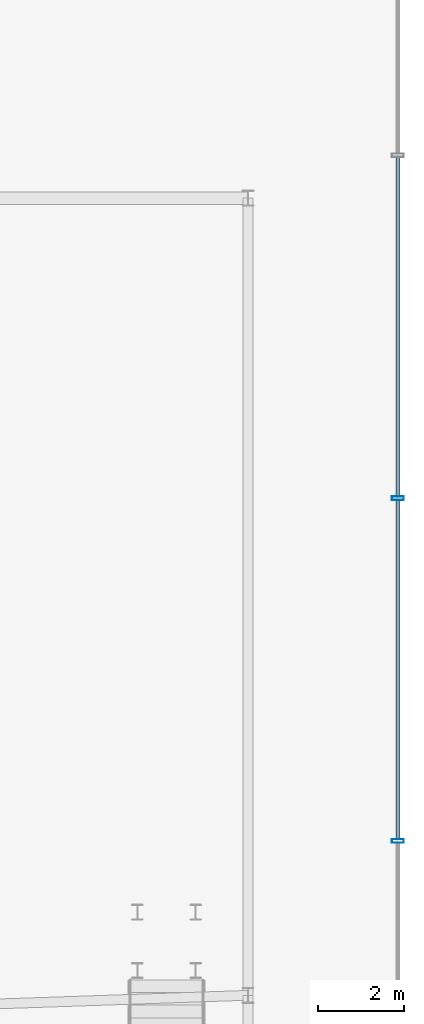
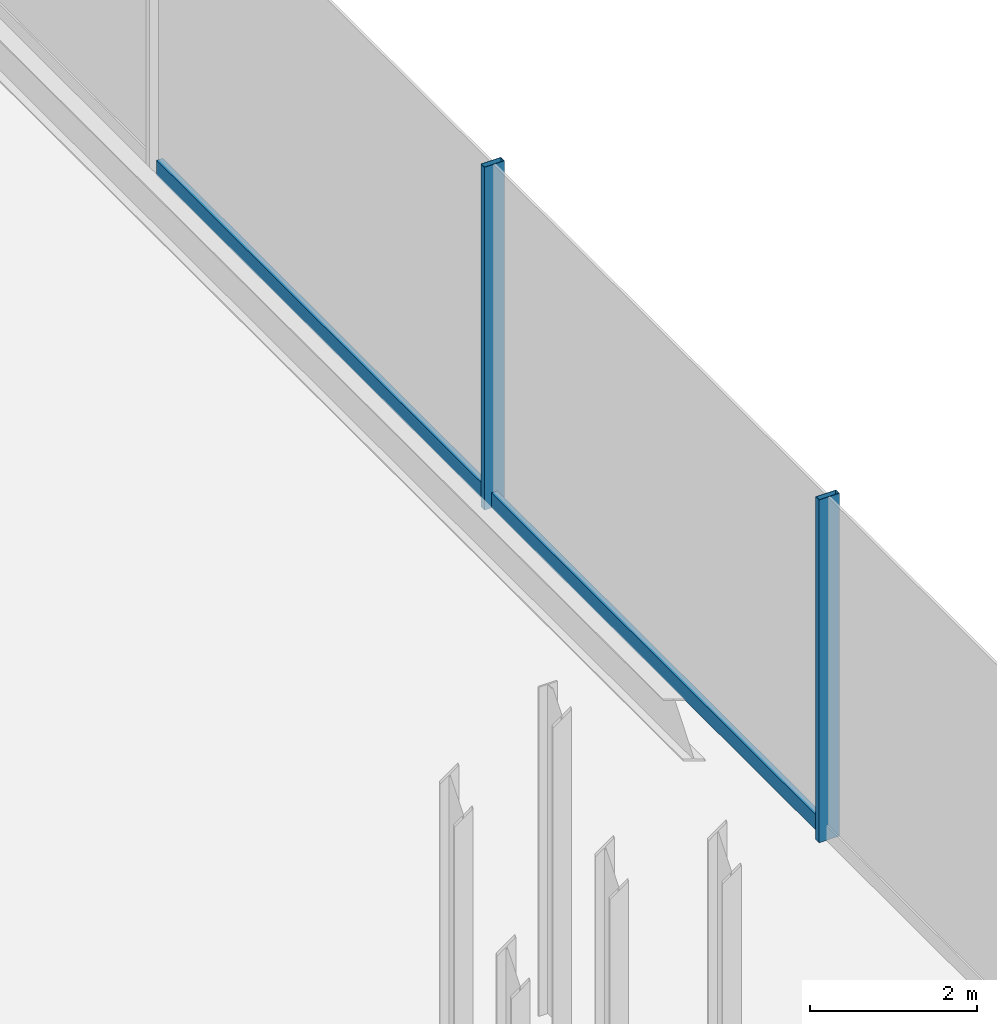
# One storey, part 25 of 40: 4 members, 1 element without a shape of its own.
"""IFC4 building model written with IfcOpenShell, lengths in metres."""

from ifc_helpers import new_model, si_unit, derived_unit, direction, frame, origin, origin_2d, place, context, subcontext, project, spatial, hollow_rectangle, extrude, source, transform, mapped, material, material_profile, profile_set, type_object, element, aggregate, save


model = new_model("IFC4")

# Units and contexts
model_context = context("Model", 3, precision=1e-05, world=origin(), true_north=direction((0.0, 1.0)))
body_context = subcontext(model_context, "Body", "Model", "MODEL_VIEW")
ifc_project = project(units=[si_unit("LENGTHUNIT", "METRE"), si_unit("AREAUNIT", "SQUARE_METRE"), si_unit("VOLUMEUNIT", "CUBIC_METRE"), si_unit("PLANEANGLEUNIT", "RADIAN"), si_unit("MASSUNIT", "GRAM", prefix="KILO"), derived_unit("THERMALTRANSMITTANCEUNIT", [(si_unit("POWERUNIT", "WATT"), 1), (si_unit("LENGTHUNIT", "METRE"), -2), (si_unit("THERMODYNAMICTEMPERATUREUNIT", "KELVIN"), -1)])], contexts=[model_context])

# Site, building, storey
site_placement = place(None, origin())
site = spatial("IfcSite", under=ifc_project, at=site_placement, CompositionType="ELEMENT")
building_placement = place(site_placement, origin())
building = spatial("IfcBuilding", under=site, at=building_placement, Name="Skarnbrae Concourse Arena and Tower", CompositionType="ELEMENT")
storey_placement = place(building_placement, frame((0.0, 0.0, 6.0)))
storey = spatial("IfcBuildingStorey", under=building, at=storey_placement, Name="L01", CompositionType="ELEMENT", Elevation=6.0)

# Curtain wall, members
ifc_material = material(Name="Bronze anodised aluminium 6063-T6", Category="aluminium")
curtain_wall_type = type_object("IfcCurtainWallType", Name="CW-SYS-01-PODIUM", PredefinedType="USERDEFINED", material=ifc_material)
curtain_wall_placement = place(storey_placement, origin())
curtain_wall = element("IfcCurtainWall", 1, at=curtain_wall_placement, inside=storey, type_object=curtain_wall_type, Name="L01 Unitised curtain wall CW-L01-E", ObjectType="UNITISED CURTAIN WALL", PredefinedType="USERDEFINED")
ifc_material_profile_1 = material_profile(ifc_material, hollow_rectangle(XDim=0.0849609375, YDim=0.280029296875, WallThickness=0.006103515625, at=origin_2d()), Name="ALU-MULL-85X280")
ifc_profile_set_1 = profile_set([ifc_material_profile_1], Name="Bronze anodised aluminium 6063-T6")
member_type_1 = type_object("IfcMemberType", Name="CWM-CW-01", PredefinedType="MULLION", material=ifc_profile_set_1)
shared_shape_1 = source(origin(), body_context, "Body", "SweptSolid", [
    extrude(hollow_rectangle(XDim=0.0849609375, YDim=0.280029296875, WallThickness=0.006103515625, at=origin_2d()), origin(), (0.0, 0.0, 1.0), 5.0),
])
member_1_placement = place(storey_placement, frame((82.0, 32.0, 0.0), z_axis=(0.0, 0.0, 1.0), x_axis=(0.0, 1.0, 0.0)))
member_1 = element("IfcMember", 2, at=member_1_placement, type_object=member_type_1, Name="CW-L01-E Mullion 5", PredefinedType="MULLION", context=body_context, shape_type="MappedRepresentation", body=[
    mapped(shared_shape_1, transform((0.0, 0.0, 0.0))),
])
member_2_placement = place(storey_placement, frame((82.0, 40.0, 0.0), z_axis=(0.0, 0.0, 1.0), x_axis=(0.0, 1.0, 0.0)))
member_2 = element("IfcMember", 3, at=member_2_placement, type_object=member_type_1, Name="CW-L01-E Mullion 6", PredefinedType="MULLION", context=body_context, shape_type="MappedRepresentation", body=[
    mapped(shared_shape_1, transform((0.0, 0.0, 0.0))),
])
ifc_material_profile_2 = material_profile(ifc_material, hollow_rectangle(XDim=0.0849609375, YDim=0.219970703125, WallThickness=0.006103515625, at=origin_2d()), Name="ALU-TRAN-85X220")
ifc_profile_set_2 = profile_set([ifc_material_profile_2], Name="Bronze anodised aluminium 6063-T6")
member_type_2 = type_object("IfcMemberType", Name="CWT-CW-01", PredefinedType="USERDEFINED", material=ifc_profile_set_2)
shared_shape_2 = source(origin(), body_context, "Body", "SweptSolid", [
    extrude(hollow_rectangle(XDim=0.0849609375, YDim=0.219970703125, WallThickness=0.006103515625, at=origin_2d()), origin(), (0.0, 0.0, 1.0), 7.9150390625),
])
member_3_placement = place(storey_placement, frame((82.0, 32.04248046875, 0.110107421875), z_axis=(0.0, 1.0, 0.0), x_axis=(-1.0, 0.0, 0.0)))
member_3 = element("IfcMember", 4, at=member_3_placement, type_object=member_type_2, Name="CW-L01-E Transom 5", ObjectType="TRANSOM", PredefinedType="USERDEFINED", context=body_context, shape_type="MappedRepresentation", body=[
    mapped(shared_shape_2, transform((0.0, 0.0, 0.0))),
])
member_4_placement = place(storey_placement, frame((82.0, 40.04248046875, 0.110107421875), z_axis=(0.0, 1.0, 0.0), x_axis=(-1.0, 0.0, 0.0)))
member_4 = element("IfcMember", 5, at=member_4_placement, type_object=member_type_2, Name="CW-L01-E Transom 6", ObjectType="TRANSOM", PredefinedType="USERDEFINED", context=body_context, shape_type="MappedRepresentation", body=[
    mapped(shared_shape_2, transform((0.0, 0.0, 0.0))),
])
aggregate(curtain_wall, [member_1, member_2, member_3, member_4])

save(model, "model.ifc")
